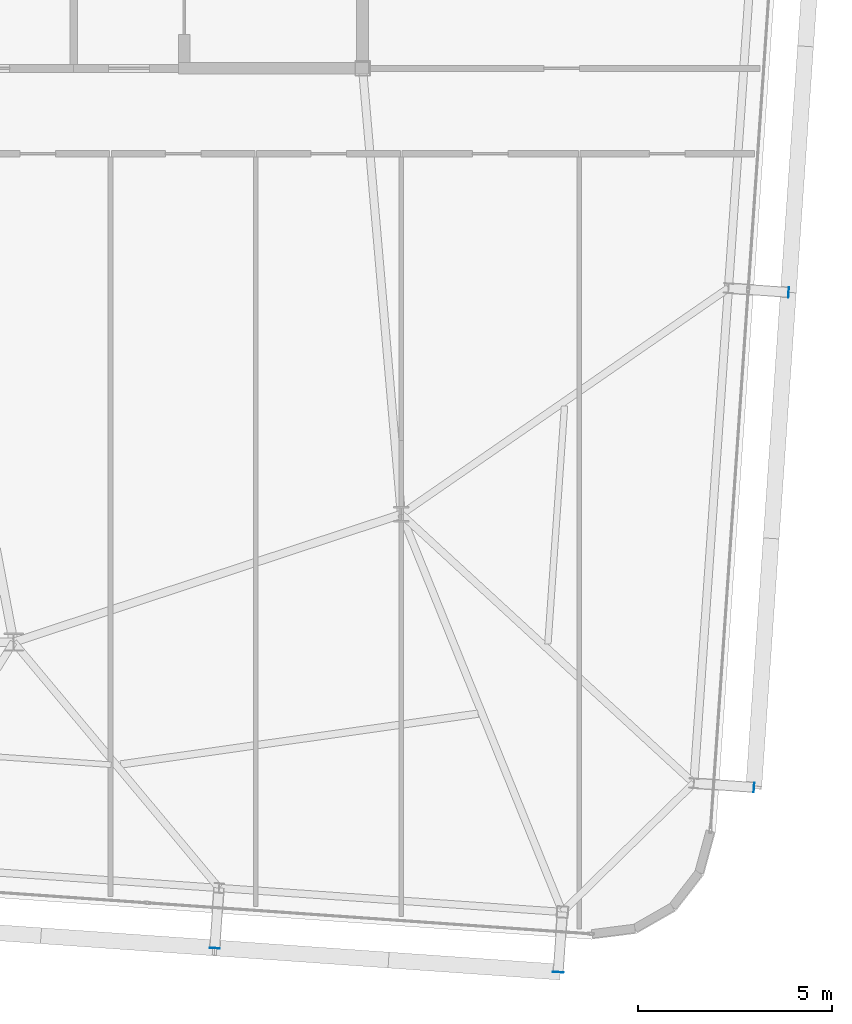
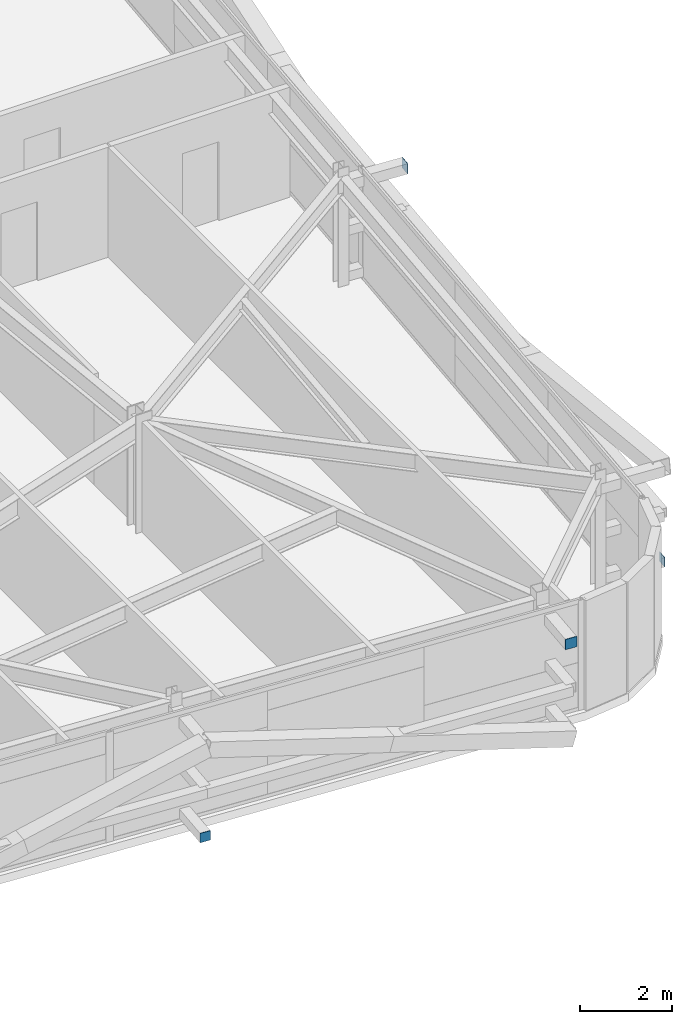
# One storey, part 30 of 39: 4 plates.
"""IFC4 building model written with IfcOpenShell, lengths in metres."""

from ifc_helpers import new_model, si_unit, direction, frame, origin, origin_2d, place, context, subcontext, project, spatial, rectangle, extrude, source, transform, mapped, material, layer, layer_set, type_object, element, save


model = new_model("IFC4")

# Units and contexts
model_context = context("Model", 3, precision=1e-05, world=origin(), true_north=direction((0.0, 1.0)))
body_context = subcontext(model_context, "Body", "Model", "MODEL_VIEW")
ifc_project = project(units=[si_unit("LENGTHUNIT", "METRE"), si_unit("AREAUNIT", "SQUARE_METRE"), si_unit("VOLUMEUNIT", "CUBIC_METRE"), si_unit("PLANEANGLEUNIT", "RADIAN"), si_unit("MASSUNIT", "GRAM", prefix="KILO")], contexts=[model_context])

# Site, building, storey
site_placement = place(None, origin())
site = spatial("IfcSite", under=ifc_project, at=site_placement, CompositionType="ELEMENT")
building_placement = place(site_placement, origin())
building = spatial("IfcBuilding", under=site, at=building_placement, Name="Taldren Reach Tower", CompositionType="ELEMENT")
storey_placement = place(building_placement, frame((0.0, 0.0, 136.14990234375)))
storey = spatial("IfcBuildingStorey", under=building, at=storey_placement, Name="L41", CompositionType="ELEMENT", Elevation=136.14990234375)

# Plates
ifc_material_1 = material(Name="Steel Gr 450 (C450L0)", Category="steel")
ifc_layer_1 = layer(ifc_material_1, 0.011962890625)
ifc_layer_set_1 = layer_set([ifc_layer_1], Name="Steel Gr 450 (C450L0)")
plate_type_1 = type_object("IfcPlateType", Name="PL-CAP-275", PredefinedType="SHEET", material=ifc_layer_set_1)
shared_shape_1 = source(origin(), body_context, "Body", "SweptSolid", [
    extrude(rectangle(XDim=0.27490234375, YDim=0.011962890625, at=origin_2d()), origin(), (0.0, 0.0, 1.0), 0.27490234375),
])
plate_1_placement = place(storey_placement, frame((56.046875, 0.68896484375, 2.5126953125), z_axis=(0.0, 0.0, 1.0), x_axis=(0.99756405026, -0.069756473744, 0.0)))
element("IfcPlate", 1, at=plate_1_placement, inside=storey, type_object=plate_type_1, Name="Tie strut end cap plate B3-S6 L41", PredefinedType="SHEET", context=body_context, shape_type="MappedRepresentation", body=[
    mapped(shared_shape_1, transform((0.0, 0.0, 0.0), scale=1.0)),
])
shared_shape_2 = source(origin(), body_context, "Body", "SweptSolid", [
    extrude(rectangle(XDim=0.011962890625, YDim=0.27490234375, at=origin_2d()), origin(), (0.0, 0.0, 1.0), 0.27490234375),
])
plate_2_placement = place(storey_placement, frame((61.990478515625, 18.22314453125, 2.5126953125), z_axis=(0.0, 0.0, 1.0), x_axis=(0.99756405026, -0.069756473744, 0.0)))
element("IfcPlate", 2, at=plate_2_placement, inside=storey, type_object=plate_type_1, Name="Tie strut end cap plate B3-E2 L41", PredefinedType="SHEET", context=body_context, shape_type="MappedRepresentation", body=[
    mapped(shared_shape_2, transform((0.0, 0.0, 0.0), scale=1.0)),
])
ifc_material_2 = material(Name="Steel Gr 350 (C350L0)", Category="steel")
ifc_layer_2 = layer(ifc_material_2, 0.011962890625)
ifc_layer_set_2 = layer_set([ifc_layer_2], Name="Steel Gr 350 (C350L0)")
plate_type_2 = type_object("IfcPlateType", Name="PL-CAP-250", PredefinedType="SHEET", material=ifc_layer_set_2)
shared_shape_3 = source(origin(), body_context, "Body", "SweptSolid", [
    extrude(rectangle(XDim=0.25, YDim=0.011962890625, at=origin_2d()), origin(), (0.0, 0.0, 1.0), 0.25),
])
plate_3_placement = place(storey_placement, frame((47.1884765625, 1.308349609375, 0.09521484375), z_axis=(0.0, 0.0, 1.0), x_axis=(0.99756405026, -0.069756473744, 0.0)))
element("IfcPlate", 3, at=plate_3_placement, inside=storey, type_object=plate_type_2, Name="Tie strut end cap plate B3-S5 L41", PredefinedType="SHEET", context=body_context, shape_type="MappedRepresentation", body=[
    mapped(shared_shape_3, transform((0.0, 0.0, 0.0), scale=1.0)),
])
shared_shape_4 = source(origin(), body_context, "Body", "SweptSolid", [
    extrude(rectangle(XDim=0.011962890625, YDim=0.25, at=origin_2d()), origin(), (0.0, 0.0, 1.0), 0.25),
])
plate_4_placement = place(storey_placement, frame((61.09765625, 5.454345703125, 0.09521484375), z_axis=(0.0, 0.0, 1.0), x_axis=(0.99756405026, -0.069756473744, 0.0)))
element("IfcPlate", 4, at=plate_4_placement, inside=storey, type_object=plate_type_2, Name="Tie strut end cap plate B3-E1 L41", PredefinedType="SHEET", context=body_context, shape_type="MappedRepresentation", body=[
    mapped(shared_shape_4, transform((0.0, 0.0, 0.0), scale=1.0)),
])

save(model, "model.ifc")
